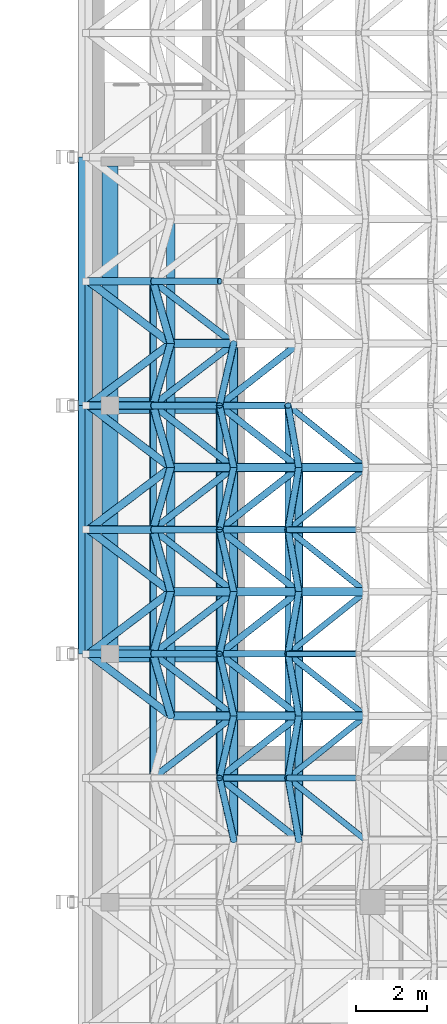
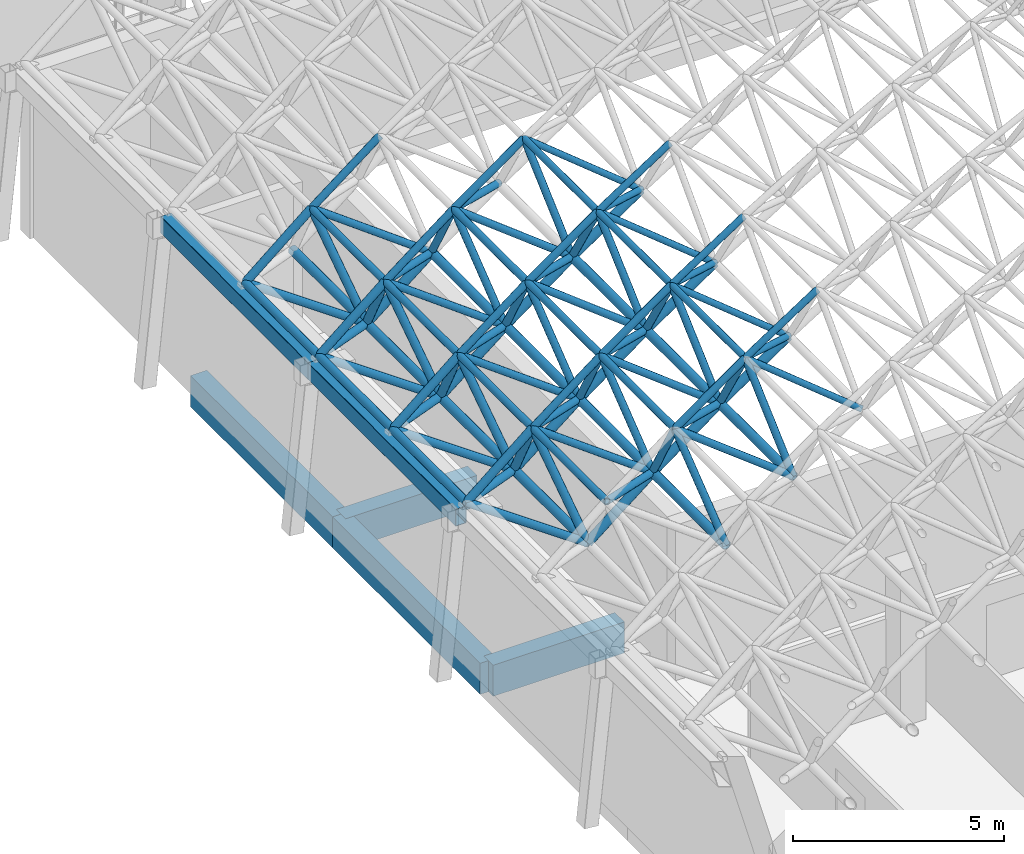
# One storey, part 43 of 141: 101 members, 6 beams.
"""IFC4 building model written with IfcOpenShell, lengths in metres."""

from ifc_helpers import new_model, si_unit, direction, frame, origin, origin_2d, place, context, subcontext, project, spatial, rectangle, hollow_rectangle, hollow_circle, extrude, material, material_profile, profile_set, type_object, element, save


model = new_model("IFC4")

# Units and contexts
model_context = context("Model", 3, precision=1e-05, world=origin(), true_north=direction((0.0, 1.0)))
body_context = subcontext(model_context, "Body", "Model", "MODEL_VIEW")
ifc_project = project(units=[si_unit("LENGTHUNIT", "METRE"), si_unit("AREAUNIT", "SQUARE_METRE"), si_unit("VOLUMEUNIT", "CUBIC_METRE"), si_unit("PLANEANGLEUNIT", "RADIAN"), si_unit("MASSUNIT", "GRAM", prefix="KILO")], contexts=[model_context])

# Site, building, storey
site_placement = place(None, origin())
site = spatial("IfcSite", under=ifc_project, at=site_placement, CompositionType="ELEMENT")
building_placement = place(site_placement, origin())
building = spatial("IfcBuilding", under=site, at=building_placement, Name="Lantern Court Media Centre", CompositionType="ELEMENT")
storey_placement = place(building_placement, frame((0.0, 0.0, 9.60009765625)))
storey = spatial("IfcBuildingStorey", under=building, at=storey_placement, Name="L02", CompositionType="ELEMENT", Elevation=9.60009765625)

# Beams
ifc_material_1 = material(Name="Concrete C35", Category="concrete")
ifc_material_profile_1 = material_profile(ifc_material_1, rectangle(XDim=0.449951171875, YDim=0.89990234375, at=origin_2d()), Name="RC 450x900")
ifc_profile_set_1 = profile_set([ifc_material_profile_1], Name="Concrete C35")
beam_type_1 = type_object("IfcBeamType", Name="RC BEAM 450x900", PredefinedType="BEAM", material=ifc_profile_set_1)
for number, where, z_axis, x_axis, name in (
    (1, (72.60009765625, 19.0, -0.4501953125), (1.0, 0.0, 0.0), (0.0, 1.0, 0.0), "HB-V2-L02-FX3-0"),
    (2, (72.60009765625, 26.0, -0.4501953125), (1.0, 0.0, 0.0), (0.0, 1.0, 0.0), "HB-V2-L02-FX4-0"),
):
    element("IfcBeam", number, at=place(storey_placement, frame(where, z_axis=z_axis, x_axis=x_axis)), inside=storey, type_object=beam_type_1, Name=name, PredefinedType="BEAM", context=body_context, shape_type="SweptSolid", body=[
        extrude(rectangle(XDim=0.449951171875, YDim=0.89990234375, at=origin_2d()), origin(), (0.0, 0.0, 1.0), 3.599853515625),
    ])
beam_1_placement = place(storey_placement, frame((72.60009765625, 19.0, -0.4501953125), z_axis=(0.0, 1.0, 0.0), x_axis=(-1.0, 0.0, 0.0)))
element("IfcBeam", 3, at=beam_1_placement, inside=storey, type_object=beam_type_1, Name="HB-V2-L02-FY0-3", PredefinedType="BEAM", context=body_context, shape_type="SweptSolid", body=[
    extrude(rectangle(XDim=0.449951171875, YDim=0.89990234375, at=origin_2d()), origin(), (0.0, 0.0, 1.0), 7.0),
])
beam_2_placement = place(storey_placement, frame((72.60009765625, 26.0, -0.4501953125), z_axis=(0.0, 1.0, 0.0), x_axis=(-1.0, 0.0, 0.0)))
element("IfcBeam", 4, at=beam_2_placement, inside=storey, type_object=beam_type_1, Name="HB-V2-L02-FY0-4", PredefinedType="BEAM", context=body_context, shape_type="SweptSolid", body=[
    extrude(rectangle(XDim=0.449951171875, YDim=0.89990234375, at=origin_2d()), origin(), (0.0, 0.0, 1.0), 6.75),
])

# Members
ifc_material_2 = material(Name="Steel S355J2 (EN 10025-2)", Category="steel")
ifc_material_profile_2 = material_profile(ifc_material_2, hollow_circle(Radius=0.122314453125, WallThickness=0.012451171875, at=origin_2d()), Name="Studio Hall bottom CHS 244.5x12.5")
ifc_profile_set_2 = profile_set([ifc_material_profile_2], Name="Steel S355J2 (EN 10025-2)")
member_type_1 = type_object("IfcMemberType", Name="Studio Hall bottom CHS 244.5x12.5", PredefinedType="CHORD", material=ifc_profile_set_2)
for number, where, z_axis, x_axis, name in (
    (5, (77.923828125, 13.75, 6.66845703125), (0.0, 1.0, 0.0), (-1.0, 0.0, 0.0), "Studio Hall bottom chord 03-05"),
    (6, (77.923828125, 17.25, 6.66845703125), (0.0, 1.0, 0.0), (-1.0, 0.0, 0.0), "Studio Hall bottom chord 03-06"),
    (7, (77.923828125, 20.75, 6.66845703125), (0.0, 1.0, 0.0), (-1.0, 0.0, 0.0), "Studio Hall bottom chord 03-07"),
):
    element("IfcMember", number, at=place(storey_placement, frame(where, z_axis=z_axis, x_axis=x_axis)), inside=storey, type_object=member_type_1, Name=name, PredefinedType="CHORD", context=body_context, shape_type="SweptSolid", body=[
        extrude(hollow_circle(Radius=0.122314453125, WallThickness=0.012451171875, at=origin_2d()), origin(), (0.0, 0.0, 1.0), 3.5),
    ])
for number, where, z_axis, x_axis, name in (
    (8, (77.923828125, 17.25, 6.66845703125), (0.826376743552, 0.0, 0.563117641099), (0.0, 1.0, 0.0), "Studio Hall bottom chord 03-06 across"),
    (9, (77.923828125, 20.75, 6.66845703125), (0.826376743552, 0.0, 0.563117641099), (0.0, 1.0, 0.0), "Studio Hall bottom chord 03-07 across"),
    (10, (77.923828125, 24.25, 6.66845703125), (0.826376743552, 0.0, 0.563117641099), (0.0, 1.0, 0.0), "Studio Hall bottom chord 03-08 across"),
):
    element("IfcMember", number, at=place(storey_placement, frame(where, z_axis=z_axis, x_axis=x_axis)), inside=storey, type_object=member_type_1, Name=name, PredefinedType="CHORD", context=body_context, shape_type="SweptSolid", body=[
        extrude(hollow_circle(Radius=0.122314453125, WallThickness=0.012451171875, at=origin_2d()), origin(), (0.0, 0.0, 1.0), 2.28125),
    ])
ifc_material_profile_3 = material_profile(ifc_material_2, hollow_circle(Radius=0.122314453125, WallThickness=0.01611328125, at=origin_2d()), Name="Studio Hall bottom CHS 244.5x16")
ifc_profile_set_3 = profile_set([ifc_material_profile_3], Name="Steel S355J2 (EN 10025-2)")
member_type_2 = type_object("IfcMemberType", Name="Studio Hall bottom CHS 244.5x16", PredefinedType="CHORD", material=ifc_profile_set_3)
for number, where, z_axis, x_axis, name in (
    (11, (76.090576171875, 13.75, 5.310546875), (0.0, 1.0, 0.0), (-1.0, 0.0, 0.0), "Studio Hall bottom chord 02-05"),
    (12, (76.090576171875, 17.25, 5.310546875), (0.0, 1.0, 0.0), (-1.0, 0.0, 0.0), "Studio Hall bottom chord 02-06"),
    (13, (76.090576171875, 20.75, 5.310546875), (0.0, 1.0, 0.0), (-1.0, 0.0, 0.0), "Studio Hall bottom chord 02-07"),
    (14, (76.090576171875, 24.25, 5.310546875), (0.0, 1.0, 0.0), (-1.0, 0.0, 0.0), "Studio Hall bottom chord 02-08"),
):
    element("IfcMember", number, at=place(storey_placement, frame(where, z_axis=z_axis, x_axis=x_axis)), inside=storey, type_object=member_type_2, Name=name, PredefinedType="CHORD", context=body_context, shape_type="SweptSolid", body=[
        extrude(hollow_circle(Radius=0.122314453125, WallThickness=0.01611328125, at=origin_2d()), origin(), (0.0, 0.0, 1.0), 3.5),
    ])
for number, where, z_axis, x_axis, name in (
    (15, (76.090576171875, 17.25, 5.310546875), (0.803568567589, 0.0, 0.59521219509), (0.0, 1.0, 0.0), "Studio Hall bottom chord 02-06 across"),
    (16, (76.090576171875, 20.75, 5.310546875), (0.803568567589, 0.0, 0.59521219509), (0.0, 1.0, 0.0), "Studio Hall bottom chord 02-07 across"),
    (17, (76.090576171875, 24.25, 5.310546875), (0.803568567589, 0.0, 0.59521219509), (0.0, 1.0, 0.0), "Studio Hall bottom chord 02-08 across"),
):
    element("IfcMember", number, at=place(storey_placement, frame(where, z_axis=z_axis, x_axis=x_axis)), inside=storey, type_object=member_type_2, Name=name, PredefinedType="CHORD", context=body_context, shape_type="SweptSolid", body=[
        extrude(hollow_circle(Radius=0.122314453125, WallThickness=0.01611328125, at=origin_2d()), origin(), (0.0, 0.0, 1.0), 2.281494140625),
    ])
ifc_material_profile_4 = material_profile(ifc_material_2, hollow_circle(Radius=0.122314453125, WallThickness=0.02001953125, at=origin_2d()), Name="Studio Hall bottom CHS 244.5x20")
ifc_profile_set_4 = profile_set([ifc_material_profile_4], Name="Steel S355J2 (EN 10025-2)")
member_type_3 = type_object("IfcMemberType", Name="Studio Hall bottom CHS 244.5x20", PredefinedType="CHORD", material=ifc_profile_set_4)
for number, where, z_axis, x_axis, name in (
    (18, (74.3125, 17.25, 3.881591796875), (0.0, 1.0, 0.0), (-1.0, 0.0, 0.0), "Studio Hall bottom chord 01-06"),
    (19, (74.3125, 20.75, 3.881591796875), (0.0, 1.0, 0.0), (-1.0, 0.0, 0.0), "Studio Hall bottom chord 01-07"),
    (20, (74.3125, 24.25, 3.881591796875), (0.0, 1.0, 0.0), (-1.0, 0.0, 0.0), "Studio Hall bottom chord 01-08"),
    (21, (74.3125, 27.75, 3.881591796875), (0.0, 1.0, 0.0), (-1.0, 0.0, 0.0), "Studio Hall bottom chord 01-09"),
):
    element("IfcMember", number, at=place(storey_placement, frame(where, z_axis=z_axis, x_axis=x_axis)), inside=storey, type_object=member_type_3, Name=name, PredefinedType="CHORD", context=body_context, shape_type="SweptSolid", body=[
        extrude(hollow_circle(Radius=0.122314453125, WallThickness=0.02001953125, at=origin_2d()), origin(), (0.0, 0.0, 1.0), 3.5),
    ])
for number, where, z_axis, x_axis, name in (
    (22, (74.3125, 17.25, 3.881591796875), (0.779478138425, 0.0, 0.626429430757), (0.0, 1.0, 0.0), "Studio Hall bottom chord 01-06 across"),
    (23, (74.3125, 20.75, 3.881591796875), (0.779478138425, 0.0, 0.626429430757), (0.0, 1.0, 0.0), "Studio Hall bottom chord 01-07 across"),
    (24, (74.3125, 24.25, 3.881591796875), (0.779478138425, 0.0, 0.626429430757), (0.0, 1.0, 0.0), "Studio Hall bottom chord 01-08 across"),
    (25, (74.3125, 27.75, 3.881591796875), (0.779478138425, 0.0, 0.626429430757), (0.0, 1.0, 0.0), "Studio Hall bottom chord 01-09 across"),
):
    element("IfcMember", number, at=place(storey_placement, frame(where, z_axis=z_axis, x_axis=x_axis)), inside=storey, type_object=member_type_3, Name=name, PredefinedType="CHORD", context=body_context, shape_type="SweptSolid", body=[
        extrude(hollow_circle(Radius=0.122314453125, WallThickness=0.02001953125, at=origin_2d()), origin(), (0.0, 0.0, 1.0), 2.281005859375),
    ])
ifc_material_profile_5 = material_profile(ifc_material_2, hollow_circle(Radius=0.084228515625, WallThickness=0.008056640625, at=origin_2d()), Name="Studio Hall diagonal CHS 168.3x8")
ifc_profile_set_5 = profile_set([ifc_material_profile_5], Name="Steel S355J2 (EN 10025-2)")
member_type_4 = type_object("IfcMemberType", Name="Studio Hall diagonal CHS 168.3x8", PredefinedType="BRACE", material=ifc_profile_set_5)
for number, where, z_axis, x_axis, name in (
    (26, (79.80908203125, 13.75, 7.953125), (-0.719205791884, 0.57530042587, 0.38957983638), (-0.624652537065, -0.780902815937, 0.0), "Studio Hall diagonal 04-05-4"),
    (27, (79.80908203125, 17.25, 7.953125), (-0.719205791884, -0.57530042587, 0.38957983638), (0.624652537065, -0.780902815937, 0.0), "Studio Hall diagonal 04-06-1"),
    (28, (79.80908203125, 17.25, 7.953125), (-0.719205791884, 0.57530042587, 0.38957983638), (-0.624652537065, -0.780902815937, 0.0), "Studio Hall diagonal 04-06-4"),
    (29, (79.80908203125, 20.75, 7.953125), (-0.719205791884, -0.57530042587, 0.38957983638), (0.624652537065, -0.780902815937, 0.0), "Studio Hall diagonal 04-07-1"),
    (30, (79.80908203125, 20.75, 7.953125), (-0.719205791884, 0.57530042587, 0.38957983638), (-0.624652537065, -0.780902815937, 0.0), "Studio Hall diagonal 04-07-4"),
    (31, (79.80908203125, 24.25, 7.953125), (-0.719205791884, -0.57530042587, 0.38957983638), (0.624652537065, -0.780902815937, 0.0), "Studio Hall diagonal 04-08-1"),
    (32, (79.80908203125, 24.25, 7.953125), (-0.719205791884, 0.57530042587, 0.38957983638), (-0.624652537065, -0.780902815937, 0.0), "Studio Hall diagonal 04-08-4"),
):
    element("IfcMember", number, at=place(storey_placement, frame(where, z_axis=z_axis, x_axis=x_axis)), inside=storey, type_object=member_type_4, Name=name, PredefinedType="BRACE", context=body_context, shape_type="SweptSolid", body=[
        extrude(hollow_circle(Radius=0.084228515625, WallThickness=0.008056640625, at=origin_2d()), origin(), (0.0, 0.0, 1.0), 3.0419921875),
    ])
ifc_material_profile_6 = material_profile(ifc_material_2, hollow_circle(Radius=0.096923828125, WallThickness=0.010009765625, at=origin_2d()), Name="Studio Hall diagonal CHS 193.7x10")
ifc_profile_set_6 = profile_set([ifc_material_profile_6], Name="Steel S355J2 (EN 10025-2)")
member_type_5 = type_object("IfcMemberType", Name="Studio Hall diagonal CHS 193.7x10", PredefinedType="BRACE", material=ifc_profile_set_6)
for number, where, z_axis, x_axis, name in (
    (33, (76.090576171875, 13.75, 5.310546875), (-0.13137534314, 0.575258680284, 0.807352444706), (-0.97489985117, -0.222643841569, 0.0), "Studio Hall diagonal 02-05-3"),
    (34, (76.090576171875, 17.25, 5.310546875), (-0.747676961141, -0.575284291269, 0.331703400644), (0.609809429153, -0.792548080634, 0.0), "Studio Hall diagonal 02-06-1"),
    (35, (76.090576171875, 17.25, 5.310546875), (-0.13137534314, -0.575258680284, 0.807352444706), (0.97489985117, -0.222643841569, 0.0), "Studio Hall diagonal 02-06-2"),
    (36, (76.090576171875, 17.25, 5.310546875), (-0.13137534314, 0.575258680284, 0.807352444706), (-0.97489985117, -0.222643841569, 0.0), "Studio Hall diagonal 02-06-3"),
    (37, (76.090576171875, 17.25, 5.310546875), (-0.747676961141, 0.575284291269, 0.331703400644), (-0.609809429153, -0.792548080634, 0.0), "Studio Hall diagonal 02-06-4"),
    (38, (76.090576171875, 20.75, 5.310546875), (-0.747676961141, -0.575284291269, 0.331703400644), (0.609809429153, -0.792548080634, 0.0), "Studio Hall diagonal 02-07-1"),
    (39, (76.090576171875, 20.75, 5.310546875), (-0.13137534314, -0.575258680284, 0.807352444706), (0.97489985117, -0.222643841569, 0.0), "Studio Hall diagonal 02-07-2"),
    (40, (76.090576171875, 20.75, 5.310546875), (-0.13137534314, 0.575258680284, 0.807352444706), (-0.97489985117, -0.222643841569, 0.0), "Studio Hall diagonal 02-07-3"),
    (41, (76.090576171875, 20.75, 5.310546875), (-0.747676961141, 0.575284291269, 0.331703400644), (-0.609809429153, -0.792548080634, 0.0), "Studio Hall diagonal 02-07-4"),
    (42, (76.090576171875, 24.25, 5.310546875), (-0.747676961141, -0.575284291269, 0.331703400644), (0.609809429153, -0.792548080634, 0.0), "Studio Hall diagonal 02-08-1"),
    (43, (76.090576171875, 24.25, 5.310546875), (-0.13137534314, -0.575258680284, 0.807352444706), (0.97489985117, -0.222643841569, 0.0), "Studio Hall diagonal 02-08-2"),
    (44, (76.090576171875, 24.25, 5.310546875), (-0.13137534314, 0.575258680284, 0.807352444706), (-0.97489985117, -0.222643841569, 0.0), "Studio Hall diagonal 02-08-3"),
    (45, (76.090576171875, 24.25, 5.310546875), (-0.747676961141, 0.575284291269, 0.331703400644), (-0.609809429153, -0.792548080634, 0.0), "Studio Hall diagonal 02-08-4"),
    (46, (76.090576171875, 27.75, 5.310546875), (-0.747676961141, -0.575284291269, 0.331703400644), (0.609809429153, -0.792548080634, 0.0), "Studio Hall diagonal 02-09-1"),
    (47, (76.090576171875, 27.75, 5.310546875), (-0.13137534314, -0.575258680284, 0.807352444706), (0.97489985117, -0.222643841569, 0.0), "Studio Hall diagonal 02-09-2"),
    (48, (76.090576171875, 27.75, 5.310546875), (-0.747676961141, 0.575284291269, 0.331703400644), (-0.609809429153, -0.792548080634, 0.0), "Studio Hall diagonal 02-09-4"),
):
    element("IfcMember", number, at=place(storey_placement, frame(where, z_axis=z_axis, x_axis=x_axis)), inside=storey, type_object=member_type_5, Name=name, PredefinedType="BRACE", context=body_context, shape_type="SweptSolid", body=[
        extrude(hollow_circle(Radius=0.096923828125, WallThickness=0.010009765625, at=origin_2d()), origin(), (0.0, 0.0, 1.0), 3.0419921875),
    ])
ifc_material_profile_7 = material_profile(ifc_material_2, hollow_circle(Radius=0.096923828125, WallThickness=0.008056640625, at=origin_2d()), Name="Studio Hall diagonal CHS 193.7x8")
ifc_profile_set_7 = profile_set([ifc_material_profile_7], Name="Steel S355J2 (EN 10025-2)")
member_type_6 = type_object("IfcMemberType", Name="Studio Hall diagonal CHS 193.7x8", PredefinedType="BRACE", material=ifc_profile_set_7)
for number, where, z_axis, x_axis, name in (
    (49, (77.923828125, 13.75, 6.66845703125), (-0.099439098635, 0.575286084759, 0.811885328323), (-0.985387799185, -0.170325820758, 0.0), "Studio Hall diagonal 03-05-3"),
    (50, (77.923828125, 13.75, 6.66845703125), (-0.734005385991, 0.57526247614, 0.360983624118), (-0.616855729008, -0.787076241282, 0.0), "Studio Hall diagonal 03-05-4"),
    (51, (77.923828125, 17.25, 6.66845703125), (-0.734005385991, -0.57526247614, 0.360983624118), (0.616855729008, -0.787076241282, 0.0), "Studio Hall diagonal 03-06-1"),
    (52, (77.923828125, 17.25, 6.66845703125), (-0.099439098635, -0.575286084759, 0.811885328323), (0.985387799185, -0.170325820758, 0.0), "Studio Hall diagonal 03-06-2"),
    (53, (77.923828125, 17.25, 6.66845703125), (-0.099439098635, 0.575286084759, 0.811885328323), (-0.985387799185, -0.170325820758, 0.0), "Studio Hall diagonal 03-06-3"),
    (54, (77.923828125, 17.25, 6.66845703125), (-0.734005385991, 0.57526247614, 0.360983624118), (-0.616855729008, -0.787076241282, 0.0), "Studio Hall diagonal 03-06-4"),
    (55, (77.923828125, 20.75, 6.66845703125), (-0.734005385991, -0.57526247614, 0.360983624118), (0.616855729008, -0.787076241282, 0.0), "Studio Hall diagonal 03-07-1"),
    (56, (77.923828125, 20.75, 6.66845703125), (-0.099439098635, -0.575286084759, 0.811885328323), (0.985387799185, -0.170325820758, 0.0), "Studio Hall diagonal 03-07-2"),
    (57, (77.923828125, 20.75, 6.66845703125), (-0.099439098635, 0.575286084759, 0.811885328323), (-0.985387799185, -0.170325820758, 0.0), "Studio Hall diagonal 03-07-3"),
    (58, (77.923828125, 20.75, 6.66845703125), (-0.734005385991, 0.57526247614, 0.360983624118), (-0.616855729008, -0.787076241282, 0.0), "Studio Hall diagonal 03-07-4"),
    (59, (77.923828125, 24.25, 6.66845703125), (-0.734005385991, -0.57526247614, 0.360983624118), (0.616855729008, -0.787076241282, 0.0), "Studio Hall diagonal 03-08-1"),
    (60, (77.923828125, 24.25, 6.66845703125), (-0.099439098635, -0.575286084759, 0.811885328323), (0.985387799185, -0.170325820758, 0.0), "Studio Hall diagonal 03-08-2"),
    (61, (77.923828125, 24.25, 6.66845703125), (-0.099439098635, 0.575286084759, 0.811885328323), (-0.985387799185, -0.170325820758, 0.0), "Studio Hall diagonal 03-08-3"),
    (62, (77.923828125, 24.25, 6.66845703125), (-0.734005385991, 0.57526247614, 0.360983624118), (-0.616855729008, -0.787076241282, 0.0), "Studio Hall diagonal 03-08-4"),
    (63, (77.923828125, 27.75, 6.66845703125), (-0.734005385991, -0.57526247614, 0.360983624118), (0.616855729008, -0.787076241282, 0.0), "Studio Hall diagonal 03-09-1"),
):
    element("IfcMember", number, at=place(storey_placement, frame(where, z_axis=z_axis, x_axis=x_axis)), inside=storey, type_object=member_type_6, Name=name, PredefinedType="BRACE", context=body_context, shape_type="SweptSolid", body=[
        extrude(hollow_circle(Radius=0.096923828125, WallThickness=0.008056640625, at=origin_2d()), origin(), (0.0, 0.0, 1.0), 3.0419921875),
    ])
ifc_material_profile_8 = material_profile(ifc_material_2, hollow_circle(Radius=0.109619140625, WallThickness=0.010009765625, at=origin_2d()), Name="Studio Hall diagonal CHS 219.1x10")
ifc_profile_set_8 = profile_set([ifc_material_profile_8], Name="Steel S355J2 (EN 10025-2)")
member_type_7 = type_object("IfcMemberType", Name="Studio Hall diagonal CHS 219.1x10", PredefinedType="BRACE", material=ifc_profile_set_8)
member_1_placement = place(storey_placement, frame((74.3125, 17.25, 3.881591796875), z_axis=(-0.163171626005, 0.575314419679, 0.801491321835), x_axis=(-0.962053941871, -0.2728593281, 0.0)))
element("IfcMember", 64, at=member_1_placement, inside=storey, type_object=member_type_7, Name="Studio Hall diagonal 01-06-3", PredefinedType="BRACE", context=body_context, shape_type="SweptSolid", body=[
    extrude(hollow_circle(Radius=0.109619140625, WallThickness=0.010009765625, at=origin_2d()), origin(), (0.0, 0.0, 1.0), 3.041748046875),
])
for number, where, z_axis, x_axis, name in (
    (65, (74.3125, 17.25, 3.881591796875), (-0.760210907984, 0.575294741177, 0.301853169862), (-0.603442670186, -0.797406385602, 0.0), "Studio Hall diagonal 01-06-4"),
    (66, (74.3125, 20.75, 3.881591796875), (-0.760210907984, -0.575294741177, 0.301853169862), (0.603442670186, -0.797406385602, 0.0), "Studio Hall diagonal 01-07-1"),
):
    element("IfcMember", number, at=place(storey_placement, frame(where, z_axis=z_axis, x_axis=x_axis)), inside=storey, type_object=member_type_7, Name=name, PredefinedType="BRACE", context=body_context, shape_type="SweptSolid", body=[
        extrude(hollow_circle(Radius=0.109619140625, WallThickness=0.010009765625, at=origin_2d()), origin(), (0.0, 0.0, 1.0), 3.0419921875),
    ])
for number, where, z_axis, x_axis, name in (
    (67, (74.3125, 20.75, 3.881591796875), (-0.163171626005, -0.575314419679, 0.801491321835), (0.962053941871, -0.2728593281, 0.0), "Studio Hall diagonal 01-07-2"),
    (68, (74.3125, 20.75, 3.881591796875), (-0.163171626005, 0.575314419679, 0.801491321835), (-0.962053941871, -0.2728593281, 0.0), "Studio Hall diagonal 01-07-3"),
):
    element("IfcMember", number, at=place(storey_placement, frame(where, z_axis=z_axis, x_axis=x_axis)), inside=storey, type_object=member_type_7, Name=name, PredefinedType="BRACE", context=body_context, shape_type="SweptSolid", body=[
        extrude(hollow_circle(Radius=0.109619140625, WallThickness=0.010009765625, at=origin_2d()), origin(), (0.0, 0.0, 1.0), 3.041748046875),
    ])
for number, where, z_axis, x_axis, name in (
    (69, (74.3125, 20.75, 3.881591796875), (-0.760210907984, 0.575294741177, 0.301853169862), (-0.603442670186, -0.797406385602, 0.0), "Studio Hall diagonal 01-07-4"),
    (70, (74.3125, 24.25, 3.881591796875), (-0.760210907984, -0.575294741177, 0.301853169862), (0.603442670186, -0.797406385602, 0.0), "Studio Hall diagonal 01-08-1"),
):
    element("IfcMember", number, at=place(storey_placement, frame(where, z_axis=z_axis, x_axis=x_axis)), inside=storey, type_object=member_type_7, Name=name, PredefinedType="BRACE", context=body_context, shape_type="SweptSolid", body=[
        extrude(hollow_circle(Radius=0.109619140625, WallThickness=0.010009765625, at=origin_2d()), origin(), (0.0, 0.0, 1.0), 3.0419921875),
    ])
for number, where, z_axis, x_axis, name in (
    (71, (74.3125, 24.25, 3.881591796875), (-0.163171626005, -0.575314419679, 0.801491321835), (0.962053941871, -0.2728593281, 0.0), "Studio Hall diagonal 01-08-2"),
    (72, (74.3125, 24.25, 3.881591796875), (-0.163171626005, 0.575314419679, 0.801491321835), (-0.962053941871, -0.2728593281, 0.0), "Studio Hall diagonal 01-08-3"),
):
    element("IfcMember", number, at=place(storey_placement, frame(where, z_axis=z_axis, x_axis=x_axis)), inside=storey, type_object=member_type_7, Name=name, PredefinedType="BRACE", context=body_context, shape_type="SweptSolid", body=[
        extrude(hollow_circle(Radius=0.109619140625, WallThickness=0.010009765625, at=origin_2d()), origin(), (0.0, 0.0, 1.0), 3.041748046875),
    ])
for number, where, z_axis, x_axis, name in (
    (73, (74.3125, 24.25, 3.881591796875), (-0.760210907984, 0.575294741177, 0.301853169862), (-0.603442670186, -0.797406385602, 0.0), "Studio Hall diagonal 01-08-4"),
    (74, (74.3125, 27.75, 3.881591796875), (-0.760210907984, -0.575294741177, 0.301853169862), (0.603442670186, -0.797406385602, 0.0), "Studio Hall diagonal 01-09-1"),
):
    element("IfcMember", number, at=place(storey_placement, frame(where, z_axis=z_axis, x_axis=x_axis)), inside=storey, type_object=member_type_7, Name=name, PredefinedType="BRACE", context=body_context, shape_type="SweptSolid", body=[
        extrude(hollow_circle(Radius=0.109619140625, WallThickness=0.010009765625, at=origin_2d()), origin(), (0.0, 0.0, 1.0), 3.0419921875),
    ])
for number, where, z_axis, x_axis, name in (
    (75, (74.3125, 27.75, 3.881591796875), (-0.163171626005, -0.575314419679, 0.801491321835), (0.962053941871, -0.2728593281, 0.0), "Studio Hall diagonal 01-09-2"),
    (76, (74.3125, 27.75, 3.881591796875), (-0.163171626005, 0.575314419679, 0.801491321835), (-0.962053941871, -0.2728593281, 0.0), "Studio Hall diagonal 01-09-3"),
):
    element("IfcMember", number, at=place(storey_placement, frame(where, z_axis=z_axis, x_axis=x_axis)), inside=storey, type_object=member_type_7, Name=name, PredefinedType="BRACE", context=body_context, shape_type="SweptSolid", body=[
        extrude(hollow_circle(Radius=0.109619140625, WallThickness=0.010009765625, at=origin_2d()), origin(), (0.0, 0.0, 1.0), 3.041748046875),
    ])
member_2_placement = place(storey_placement, frame((74.3125, 27.75, 3.881591796875), z_axis=(-0.760210907984, 0.575294741177, 0.301853169862), x_axis=(-0.603442670186, -0.797406385602, 0.0)))
element("IfcMember", 77, at=member_2_placement, inside=storey, type_object=member_type_7, Name="Studio Hall diagonal 01-09-4", PredefinedType="BRACE", context=body_context, shape_type="SweptSolid", body=[
    extrude(hollow_circle(Radius=0.109619140625, WallThickness=0.010009765625, at=origin_2d()), origin(), (0.0, 0.0, 1.0), 3.0419921875),
])

# Beams
ifc_material_profile_9 = material_profile(ifc_material_2, hollow_rectangle(XDim=0.300048828125, YDim=0.5, WallThickness=0.01611328125, InnerFilletRadius=0.01611328125, OuterFilletRadius=0.02392578125, at=origin_2d()), Name="Studio Hall edge girder RHS 500x300x16")
ifc_profile_set_9 = profile_set([ifc_material_profile_9], Name="Steel S355J2 (EN 10025-2)")
beam_type_2 = type_object("IfcBeamType", Name="Studio Hall edge girder RHS 500x300x16", PredefinedType="BEAM", material=ifc_profile_set_9)
for number, where, z_axis, x_axis, name in (
    (78, (71.85009765625, 19.0, 4.449951171875), (0.0, 1.0, 0.0), (-1.0, 0.0, 0.0), "Studio Hall edge girder west 4"),
    (79, (71.85009765625, 26.0, 4.449951171875), (0.0, 1.0, 0.0), (-1.0, 0.0, 0.0), "Studio Hall edge girder west 5"),
):
    element("IfcBeam", number, at=place(storey_placement, frame(where, z_axis=z_axis, x_axis=x_axis)), inside=storey, type_object=beam_type_2, Name=name, PredefinedType="BEAM", context=body_context, shape_type="SweptSolid", body=[
        extrude(hollow_rectangle(XDim=0.300048828125, YDim=0.5, WallThickness=0.01611328125, InnerFilletRadius=0.01611328125, OuterFilletRadius=0.02392578125, at=origin_2d()), origin(), (0.0, 0.0, 1.0), 7.0),
    ])

# Members
ifc_material_profile_10 = material_profile(ifc_material_2, hollow_circle(Radius=0.0888671875, WallThickness=0.010009765625, at=origin_2d()), Name="Studio Hall top CHS 177.8x10")
ifc_profile_set_10 = profile_set([ifc_material_profile_10], Name="Steel S355J2 (EN 10025-2)")
member_type_8 = type_object("IfcMemberType", Name="Studio Hall top CHS 177.8x10", PredefinedType="CHORD", material=ifc_profile_set_10)
for number, where, z_axis, x_axis, name in (
    (80, (77.621337890625, 15.5, 9.13818359375), (0.0, 1.0, 0.0), (-1.0, 0.0, 0.0), "Studio Hall top chord 04-06"),
    (81, (77.621337890625, 19.0, 9.13818359375), (0.0, 1.0, 0.0), (-1.0, 0.0, 0.0), "Studio Hall top chord 04-07"),
    (82, (77.621337890625, 22.5, 9.13818359375), (0.0, 1.0, 0.0), (-1.0, 0.0, 0.0), "Studio Hall top chord 04-08"),
):
    element("IfcMember", number, at=place(storey_placement, frame(where, z_axis=z_axis, x_axis=x_axis)), inside=storey, type_object=member_type_8, Name=name, PredefinedType="CHORD", context=body_context, shape_type="SweptSolid", body=[
        extrude(hollow_circle(Radius=0.0888671875, WallThickness=0.010009765625, at=origin_2d()), origin(), (0.0, 0.0, 1.0), 3.5),
    ])
for number, where, z_axis, x_axis, name in (
    (83, (77.621337890625, 15.5, 9.13818359375), (0.837356212506, 0.0, 0.546657638178), (0.0, 1.0, 0.0), "Studio Hall top chord 04-06 across"),
    (84, (77.621337890625, 19.0, 9.13818359375), (0.837356212506, 0.0, 0.546657638178), (0.0, 1.0, 0.0), "Studio Hall top chord 04-07 across"),
    (85, (77.621337890625, 22.5, 9.13818359375), (0.837356212506, 0.0, 0.546657638178), (0.0, 1.0, 0.0), "Studio Hall top chord 04-08 across"),
):
    element("IfcMember", number, at=place(storey_placement, frame(where, z_axis=z_axis, x_axis=x_axis)), inside=storey, type_object=member_type_8, Name=name, PredefinedType="CHORD", context=body_context, shape_type="SweptSolid", body=[
        extrude(hollow_circle(Radius=0.0888671875, WallThickness=0.010009765625, at=origin_2d()), origin(), (0.0, 0.0, 1.0), 2.368408203125),
    ])
ifc_material_profile_11 = material_profile(ifc_material_2, hollow_circle(Radius=0.096923828125, WallThickness=0.010009765625, at=origin_2d()), Name="Studio Hall top CHS 193.7x10")
ifc_profile_set_11 = profile_set([ifc_material_profile_11], Name="Steel S355J2 (EN 10025-2)")
member_type_9 = type_object("IfcMemberType", Name="Studio Hall top CHS 193.7x10", PredefinedType="CHORD", material=ifc_profile_set_11)
for number, where, z_axis, x_axis, name in (
    (86, (75.69091796875, 15.5, 7.7666015625), (0.0, 1.0, 0.0), (-1.0, 0.0, 0.0), "Studio Hall top chord 03-06"),
    (87, (75.69091796875, 19.0, 7.7666015625), (0.0, 1.0, 0.0), (-1.0, 0.0, 0.0), "Studio Hall top chord 03-07"),
    (88, (75.69091796875, 22.5, 7.7666015625), (0.0, 1.0, 0.0), (-1.0, 0.0, 0.0), "Studio Hall top chord 03-08"),
):
    element("IfcMember", number, at=place(storey_placement, frame(where, z_axis=z_axis, x_axis=x_axis)), inside=storey, type_object=member_type_9, Name=name, PredefinedType="CHORD", context=body_context, shape_type="SweptSolid", body=[
        extrude(hollow_circle(Radius=0.096923828125, WallThickness=0.010009765625, at=origin_2d()), origin(), (0.0, 0.0, 1.0), 3.5),
    ])
for number, where, z_axis, x_axis, name in (
    (89, (75.69091796875, 15.5, 7.7666015625), (0.815186813221, 0.0, 0.579198117703), (0.0, 1.0, 0.0), "Studio Hall top chord 03-06 across"),
    (90, (75.69091796875, 19.0, 7.7666015625), (0.815186813221, 0.0, 0.579198117703), (0.0, 1.0, 0.0), "Studio Hall top chord 03-07 across"),
    (91, (75.69091796875, 22.5, 7.7666015625), (0.815186813221, 0.0, 0.579198117703), (0.0, 1.0, 0.0), "Studio Hall top chord 03-08 across"),
    (92, (75.69091796875, 26.0, 7.7666015625), (0.815186813221, 0.0, 0.579198117703), (0.0, 1.0, 0.0), "Studio Hall top chord 03-09 across"),
):
    element("IfcMember", number, at=place(storey_placement, frame(where, z_axis=z_axis, x_axis=x_axis)), inside=storey, type_object=member_type_9, Name=name, PredefinedType="CHORD", context=body_context, shape_type="SweptSolid", body=[
        extrude(hollow_circle(Radius=0.096923828125, WallThickness=0.010009765625, at=origin_2d()), origin(), (0.0, 0.0, 1.0), 2.3681640625),
    ])
ifc_material_profile_12 = material_profile(ifc_material_2, hollow_circle(Radius=0.096923828125, WallThickness=0.012451171875, at=origin_2d()), Name="Studio Hall top CHS 193.7x12.5")
ifc_profile_set_12 = profile_set([ifc_material_profile_12], Name="Steel S355J2 (EN 10025-2)")
member_type_10 = type_object("IfcMemberType", Name="Studio Hall top CHS 193.7x12.5", PredefinedType="CHORD", material=ifc_profile_set_12)
for number, where, z_axis, x_axis, name in (
    (93, (73.816162109375, 15.5, 6.319580078125), (0.0, 1.0, 0.0), (-1.0, 0.0, 0.0), "Studio Hall top chord 02-06"),
    (94, (73.816162109375, 19.0, 6.319580078125), (0.0, 1.0, 0.0), (-1.0, 0.0, 0.0), "Studio Hall top chord 02-07"),
    (95, (73.816162109375, 22.5, 6.319580078125), (0.0, 1.0, 0.0), (-1.0, 0.0, 0.0), "Studio Hall top chord 02-08"),
    (96, (73.816162109375, 26.0, 6.319580078125), (0.0, 1.0, 0.0), (-1.0, 0.0, 0.0), "Studio Hall top chord 02-09"),
):
    element("IfcMember", number, at=place(storey_placement, frame(where, z_axis=z_axis, x_axis=x_axis)), inside=storey, type_object=member_type_10, Name=name, PredefinedType="CHORD", context=body_context, shape_type="SweptSolid", body=[
        extrude(hollow_circle(Radius=0.096923828125, WallThickness=0.012451171875, at=origin_2d()), origin(), (0.0, 0.0, 1.0), 3.5),
    ])
for number, where, z_axis, x_axis, name in (
    (97, (73.816162109375, 19.0, 6.319580078125), (0.791622688111, 0.0, 0.611010245141), (0.0, 1.0, 0.0), "Studio Hall top chord 02-07 across"),
    (98, (73.816162109375, 22.5, 6.319580078125), (0.791622688111, 0.0, 0.611010245141), (0.0, 1.0, 0.0), "Studio Hall top chord 02-08 across"),
    (99, (73.816162109375, 26.0, 6.319580078125), (0.791622688111, 0.0, 0.611010245141), (0.0, 1.0, 0.0), "Studio Hall top chord 02-09 across"),
    (100, (73.816162109375, 29.5, 6.319580078125), (0.791622688111, 0.0, 0.611010245141), (0.0, 1.0, 0.0), "Studio Hall top chord 02-10 across"),
):
    element("IfcMember", number, at=place(storey_placement, frame(where, z_axis=z_axis, x_axis=x_axis)), inside=storey, type_object=member_type_10, Name=name, PredefinedType="CHORD", context=body_context, shape_type="SweptSolid", body=[
        extrude(hollow_circle(Radius=0.096923828125, WallThickness=0.012451171875, at=origin_2d()), origin(), (0.0, 0.0, 1.0), 2.3681640625),
    ])
ifc_material_profile_13 = material_profile(ifc_material_2, hollow_circle(Radius=0.109619140625, WallThickness=0.012451171875, at=origin_2d()), Name="Studio Hall top CHS 219.1x12.5")
ifc_profile_set_13 = profile_set([ifc_material_profile_13], Name="Steel S355J2 (EN 10025-2)")
member_type_11 = type_object("IfcMemberType", Name="Studio Hall top CHS 219.1x12.5", PredefinedType="CHORD", material=ifc_profile_set_13)
for number, where, z_axis, x_axis, name in (
    (101, (72.0, 19.0, 4.7998046875), (0.0, 1.0, 0.0), (-1.0, 0.0, 0.0), "Studio Hall top chord 01-07"),
    (102, (72.0, 22.5, 4.7998046875), (0.0, 1.0, 0.0), (-1.0, 0.0, 0.0), "Studio Hall top chord 01-08"),
    (103, (72.0, 26.0, 4.7998046875), (0.0, 1.0, 0.0), (-1.0, 0.0, 0.0), "Studio Hall top chord 01-09"),
):
    element("IfcMember", number, at=place(storey_placement, frame(where, z_axis=z_axis, x_axis=x_axis)), inside=storey, type_object=member_type_11, Name=name, PredefinedType="CHORD", context=body_context, shape_type="SweptSolid", body=[
        extrude(hollow_circle(Radius=0.109619140625, WallThickness=0.012451171875, at=origin_2d()), origin(), (0.0, 0.0, 1.0), 3.5),
    ])
for number, where, z_axis, x_axis, name in (
    (104, (72.0, 19.0, 4.7998046875), (0.766909881815, 0.0, 0.641754807675), (0.0, 1.0, 0.0), "Studio Hall top chord 01-07 across"),
    (105, (72.0, 22.5, 4.7998046875), (0.766909881815, 0.0, 0.641754807675), (0.0, 1.0, 0.0), "Studio Hall top chord 01-08 across"),
    (106, (72.0, 26.0, 4.7998046875), (0.766909881815, 0.0, 0.641754807675), (0.0, 1.0, 0.0), "Studio Hall top chord 01-09 across"),
    (107, (72.0, 29.5, 4.7998046875), (0.766909881815, 0.0, 0.641754807675), (0.0, 1.0, 0.0), "Studio Hall top chord 01-10 across"),
):
    element("IfcMember", number, at=place(storey_placement, frame(where, z_axis=z_axis, x_axis=x_axis)), inside=storey, type_object=member_type_11, Name=name, PredefinedType="CHORD", context=body_context, shape_type="SweptSolid", body=[
        extrude(hollow_circle(Radius=0.109619140625, WallThickness=0.012451171875, at=origin_2d()), origin(), (0.0, 0.0, 1.0), 2.3681640625),
    ])

save(model, "model.ifc")
